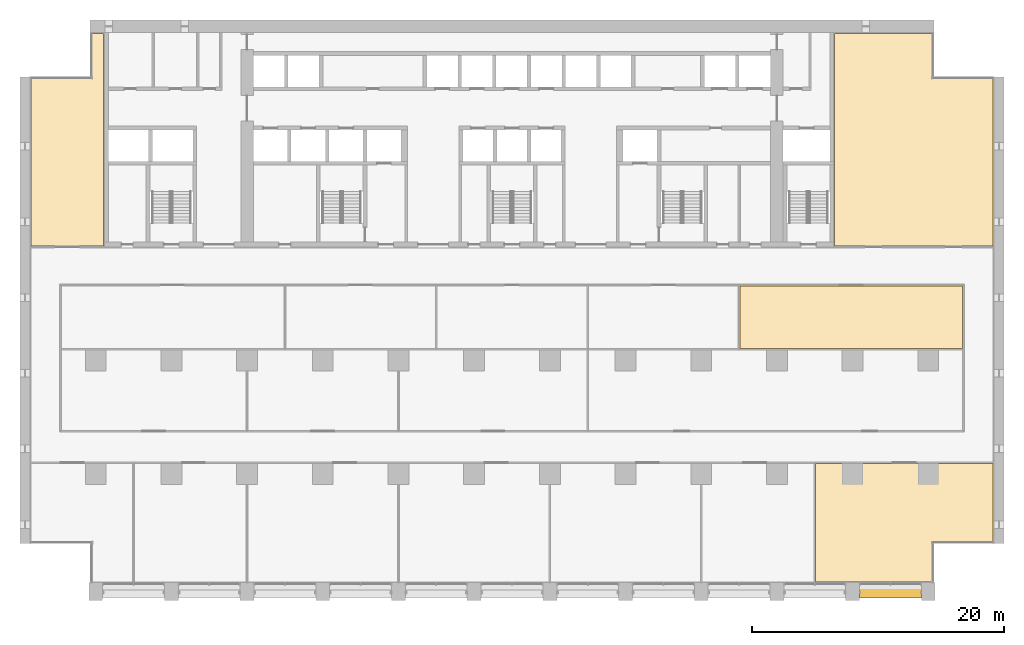
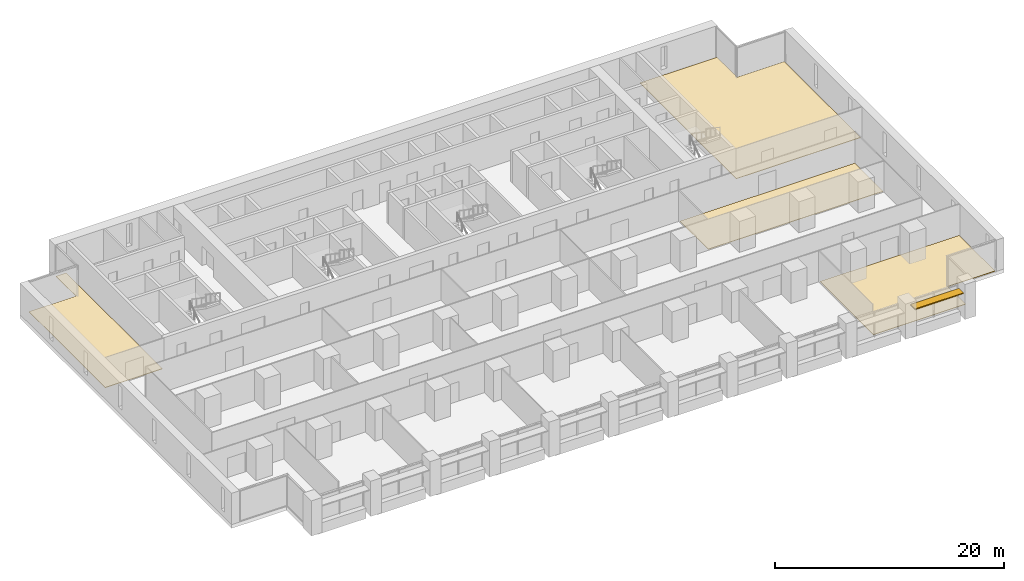
# One storey, part 18 of 18: 4 coverings, 1 shading device.
"""IFC4 building model written with IfcOpenShell, lengths in metres."""

from ifc_helpers import new_model, si_unit, direction, frame, origin, origin_2d, place, context, subcontext, project, spatial, polyline, rectangle, outline, extrude, material, layer, layer_set, material_profile, profile_set, type_object, element, save


model = new_model("IFC4")

# Units and contexts
model_context = context("Model", 3, precision=1e-05, world=origin(), true_north=direction((0.0, 1.0)))
body_context = subcontext(model_context, "Body", "Model", "MODEL_VIEW")
ifc_project = project(units=[si_unit("LENGTHUNIT", "METRE"), si_unit("AREAUNIT", "SQUARE_METRE"), si_unit("VOLUMEUNIT", "CUBIC_METRE"), si_unit("PLANEANGLEUNIT", "RADIAN"), si_unit("MASSUNIT", "GRAM", prefix="KILO")], contexts=[model_context])

# Site, building, storey
site_placement = place(None, origin())
site = spatial("IfcSite", under=ifc_project, at=site_placement, CompositionType="ELEMENT")
building_placement = place(site_placement, origin())
building = spatial("IfcBuilding", under=site, at=building_placement, Name="Calvaro Tower", CompositionType="ELEMENT")
storey_placement = place(building_placement, frame((0.0, 0.0, 56.25)))
storey = spatial("IfcBuildingStorey", under=building, at=storey_placement, Name="L13", CompositionType="ELEMENT", Elevation=56.25)

# Shading device
ifc_material_1 = material(Name="Anodised aluminium", Category="aluminium")
ifc_material_profile = material_profile(ifc_material_1, rectangle(XDim=0.800048828125, YDim=0.10009765625, at=origin_2d()), Name="Brise-soleil blade 800 x 100")
ifc_profile_set = profile_set([ifc_material_profile], Name="Anodised aluminium")
shading_device_type = type_object("IfcShadingDeviceType", Name="Brise-soleil blade 800 x 100", PredefinedType="JALOUSIE", material=ifc_profile_set)
shading_device_placement = place(storey_placement, frame((66.550048828125, 0.60009765625, 2.300048828125), z_axis=(1.0, 0.0, 0.0), x_axis=(0.0, 1.0, 0.0)))
element("IfcShadingDevice", 1, at=shading_device_placement, inside=storey, type_object=shading_device_type, Name="Brise-soleil blade 11", PredefinedType="JALOUSIE", context=body_context, shape_type="SweptSolid", body=[
    extrude(rectangle(XDim=0.800048828125, YDim=0.10009765625, at=origin_2d()), origin(), (0.0, 0.0, 1.0), 4.89990234375),
])

# Coverings
ifc_material_2 = material(Name="Cement screed with carpet tile finish")
ifc_layer = layer(ifc_material_2, 0.050048828125)
ifc_layer_set = layer_set([ifc_layer], Name="Cement screed with carpet tile finish")
covering_type = type_object("IfcCoveringType", Name="Floor finish 50", PredefinedType="FLOORING", material=ifc_layer_set)
covering_1_placement = place(storey_placement, origin())
element("IfcCovering", 2, at=covering_1_placement, inside=storey, type_object=covering_type, Name="Floor finish 11.07", PredefinedType="FLOORING", context=body_context, shape_type="SweptSolid", body=[
    extrude(outline(polyline([(77.1298828125, 4.570068359375), (72.3798828125, 4.570068359375), (72.3798828125, 1.469970703125), (63.070068359375, 1.469970703125), (63.070068359375, 10.830078125), (77.1298828125, 10.830078125), (77.1298828125, 4.570068359375)])), origin(), (0.0, 0.0, 1.0), 0.050048828125),
])
covering_2_placement = place(storey_placement, origin())
element("IfcCovering", 3, at=covering_2_placement, inside=storey, type_object=covering_type, Name="Floor finish 11.14", PredefinedType="FLOORING", context=body_context, shape_type="SweptSolid", body=[
    extrude(outline(polyline([(57.070068359375, 19.969970703125), (57.070068359375, 24.929931640625), (74.72998046875, 24.929931640625), (74.72998046875, 19.969970703125), (57.070068359375, 19.969970703125)])), origin(), (0.0, 0.0, 1.0), 0.050048828125),
])
covering_3_placement = place(storey_placement, origin())
element("IfcCovering", 4, at=covering_3_placement, inside=storey, type_object=covering_type, Name="Floor finish 11.18", PredefinedType="FLOORING", context=body_context, shape_type="SweptSolid", body=[
    extrude(outline(polyline([(6.6298828125, 28.070068359375), (0.8701171875, 28.070068359375), (0.8701171875, 41.429931640625), (5.6201171875, 41.429931640625), (5.6201171875, 44.929931640625), (6.6298828125, 44.929931640625), (6.6298828125, 28.070068359375)])), origin(), (0.0, 0.0, 1.0), 0.050048828125),
])
covering_4_placement = place(storey_placement, origin())
element("IfcCovering", 5, at=covering_4_placement, inside=storey, type_object=covering_type, Name="Floor finish 11.19", PredefinedType="FLOORING", context=body_context, shape_type="SweptSolid", body=[
    extrude(outline(polyline([(77.1298828125, 28.070068359375), (64.570068359375, 28.070068359375), (64.570068359375, 44.929931640625), (72.3798828125, 44.929931640625), (72.3798828125, 41.429931640625), (77.1298828125, 41.429931640625), (77.1298828125, 28.070068359375)])), origin(), (0.0, 0.0, 1.0), 0.050048828125),
])

save(model, "model.ifc")
